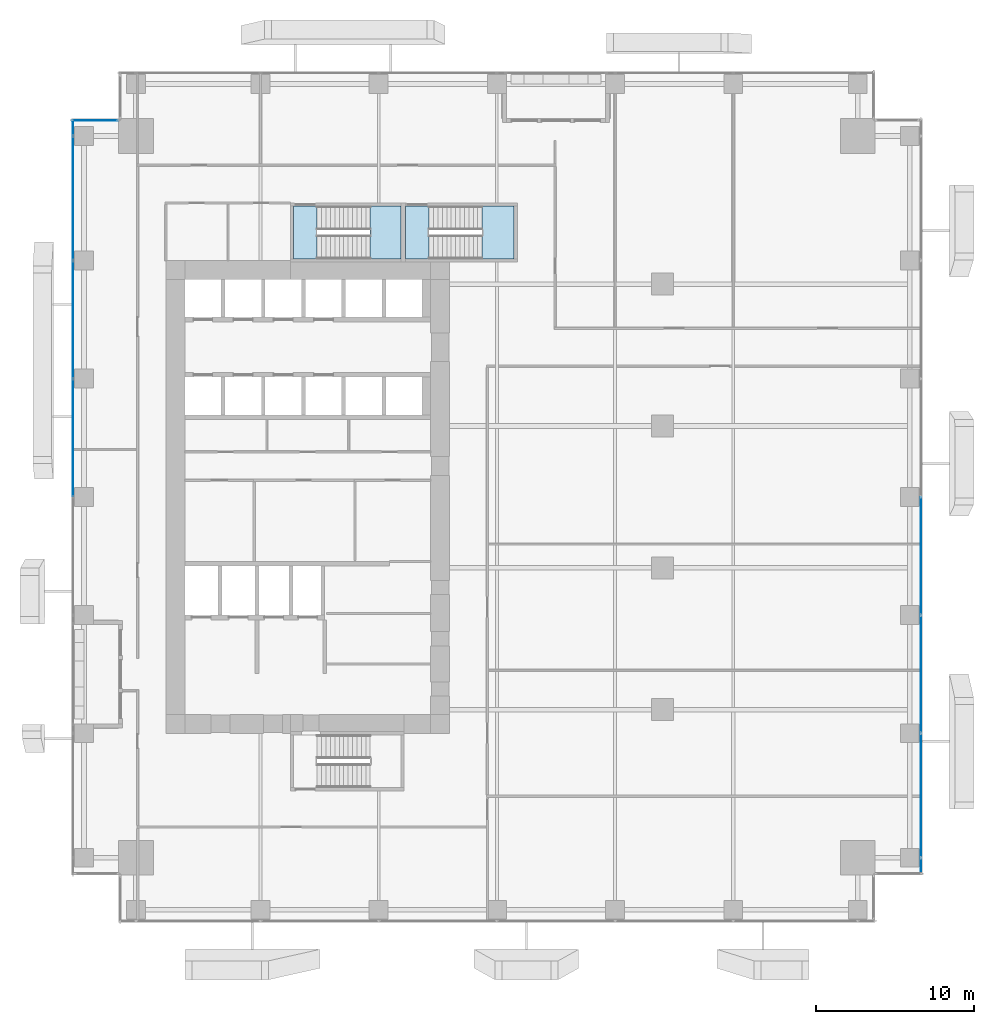
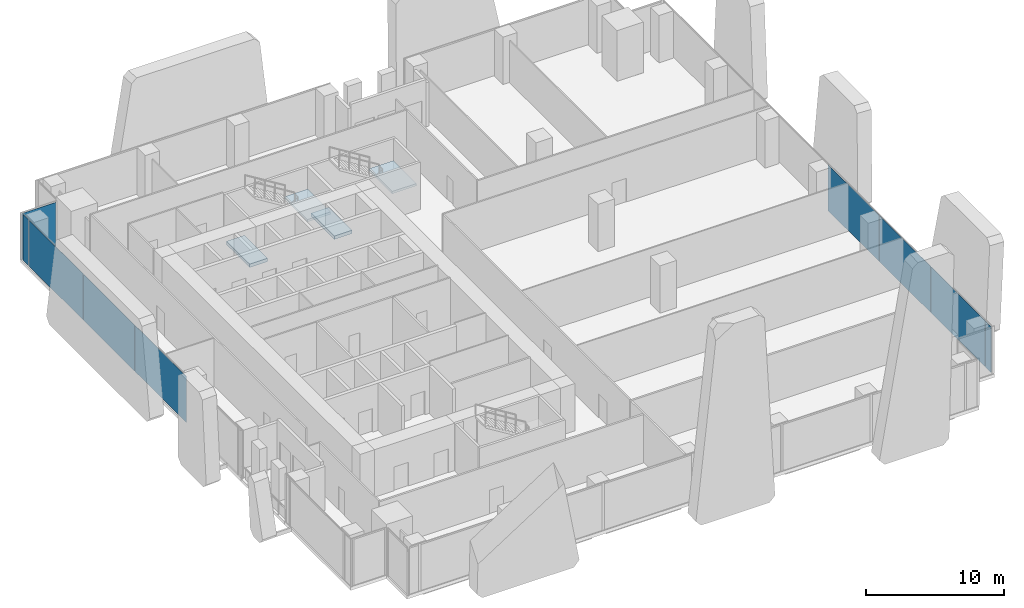
# One storey, part 24 of 34: 9 plates, 4 slabs, 5 elements without a shape of their own.
"""IFC4 building model written with IfcOpenShell, lengths in metres."""

from ifc_helpers import new_model, si_unit, direction, frame, origin, origin_2d, place, context, subcontext, project, spatial, polyline, rectangle, outline, extrude, source, transform, mapped, material, layer, layer_set, type_object, element, aggregate, save


model = new_model("IFC4")

# Units and contexts
model_context = context("Model", 3, precision=1e-05, world=origin(), true_north=direction((0.0, 1.0)))
body_context = subcontext(model_context, "Body", "Model", "MODEL_VIEW")
ifc_project = project(units=[si_unit("LENGTHUNIT", "METRE"), si_unit("AREAUNIT", "SQUARE_METRE"), si_unit("VOLUMEUNIT", "CUBIC_METRE"), si_unit("PLANEANGLEUNIT", "RADIAN"), si_unit("MASSUNIT", "GRAM", prefix="KILO")], contexts=[model_context])

# Site, building, storey
site_placement = place(None, origin())
site = spatial("IfcSite", under=ifc_project, at=site_placement, CompositionType="ELEMENT")
building_placement = place(site_placement, origin())
building = spatial("IfcBuilding", under=site, at=building_placement, Name="Khomas Fold Tower", CompositionType="ELEMENT")
storey_placement = place(building_placement, frame((0.0, 0.0, 51.0)))
storey = spatial("IfcBuildingStorey", under=building, at=storey_placement, Name="L10", CompositionType="ELEMENT", Elevation=51.0)

# Curtain wall, plate
ifc_material_1 = material(Name="Aluminium framed double glazing", Category="aluminium")
curtain_wall_type = type_object("IfcCurtainWallType", Name="SK-Unitised clear-glass wall, growing floors CW1", PredefinedType="NOTDEFINED", material=ifc_material_1)
curtain_wall_1_placement = place(storey_placement, origin())
curtain_wall_1 = element("IfcCurtainWall", 1, at=curtain_wall_1_placement, inside=storey, type_object=curtain_wall_type, Name="CW1 run L10 03-0", PredefinedType="NOTDEFINED")
ifc_material_2 = material(Name="Clear double glazed unit")
ifc_layer_1 = layer(ifc_material_2, 0.031982421875)
ifc_layer_set_1 = layer_set([ifc_layer_1], Name="Clear double glazed unit")
plate_type = type_object("IfcPlateType", Name="SK-Unitised clear-glass wall, growing floors glass panel CW1-P", PredefinedType="CURTAIN_PANEL", material=ifc_layer_set_1)
shared_shape_1 = source(origin(), body_context, "Body", "SweptSolid", [
    extrude(rectangle(XDim=0.81005859375, YDim=0.031982421875, at=origin_2d()), origin(), (0.0, 0.0, 1.0), 4.080078125),
])
plate_1_placement = place(storey_placement, frame((53.89990234375, 3.6650390625, 0.0), z_axis=(0.0, 0.0, 1.0), x_axis=(0.0, 1.0, 0.0)))
plate_1 = element("IfcPlate", 2, at=plate_1_placement, type_object=plate_type, Name="CW1 glass panel 1", PredefinedType="CURTAIN_PANEL", context=body_context, shape_type="MappedRepresentation", body=[
    mapped(shared_shape_1, transform((0.0, 0.0, 0.0))),
])

curtain_wall_2_placement = place(storey_placement, origin())
curtain_wall_2 = element("IfcCurtainWall", 3, at=curtain_wall_2_placement, inside=storey, type_object=curtain_wall_type, Name="CW1 run L10 09-0", PredefinedType="NOTDEFINED")
plate_2_placement = place(storey_placement, frame((0.10009765625, 50.3349609375, 0.0), z_axis=(0.0, 0.0, 1.0), x_axis=(0.0, -1.0, 0.0)))
plate_2 = element("IfcPlate", 4, at=plate_2_placement, type_object=plate_type, Name="CW1 glass panel 1", PredefinedType="CURTAIN_PANEL", context=body_context, shape_type="MappedRepresentation", body=[
    mapped(shared_shape_1, transform((0.0, 0.0, 0.0))),
])

# Plate
shared_shape_2 = source(origin(), body_context, "Body", "SweptSolid", [
    extrude(rectangle(XDim=7.840087890625, YDim=0.031982421875, at=origin_2d()), origin(), (0.0, 0.0, 1.0), 4.080078125),
])
plate_3_placement = place(storey_placement, frame((53.89990234375, 8.050048828125, 0.0), z_axis=(0.0, 0.0, 1.0), x_axis=(0.0, 1.0, 0.0)))
plate_3 = element("IfcPlate", 5, at=plate_3_placement, type_object=plate_type, Name="CW1 glass panel 2", PredefinedType="CURTAIN_PANEL", context=body_context, shape_type="MappedRepresentation", body=[
    mapped(shared_shape_2, transform((0.0, 0.0, 0.0))),
])

plate_4_placement = place(storey_placement, frame((0.10009765625, 45.949951171875, 0.0), z_axis=(0.0, 0.0, 1.0), x_axis=(0.0, -1.0, 0.0)))
plate_4 = element("IfcPlate", 6, at=plate_4_placement, type_object=plate_type, Name="CW1 glass panel 2", PredefinedType="CURTAIN_PANEL", context=body_context, shape_type="MappedRepresentation", body=[
    mapped(shared_shape_2, transform((0.0, 0.0, 0.0))),
])

shared_shape_3 = source(origin(), body_context, "Body", "SweptSolid", [
    extrude(rectangle(XDim=7.43994140625, YDim=0.031982421875, at=origin_2d()), origin(), (0.0, 0.0, 1.0), 4.080078125),
])
plate_5_placement = place(storey_placement, frame((53.89990234375, 15.75, 0.0), z_axis=(0.0, 0.0, 1.0), x_axis=(0.0, 1.0, 0.0)))
plate_5 = element("IfcPlate", 7, at=plate_5_placement, type_object=plate_type, Name="CW1 glass panel 3", PredefinedType="CURTAIN_PANEL", context=body_context, shape_type="MappedRepresentation", body=[
    mapped(shared_shape_3, transform((0.0, 0.0, 0.0))),
])

plate_6_placement = place(storey_placement, frame((53.89990234375, 23.25, 0.0), z_axis=(0.0, 0.0, 1.0), x_axis=(0.0, 1.0, 0.0)))
plate_6 = element("IfcPlate", 8, at=plate_6_placement, type_object=plate_type, Name="CW1 glass panel 4", PredefinedType="CURTAIN_PANEL", context=body_context, shape_type="MappedRepresentation", body=[
    mapped(shared_shape_3, transform((0.0, 0.0, 0.0))),
])

aggregate(curtain_wall_1, [plate_1, plate_3, plate_5, plate_6])

plate_7_placement = place(storey_placement, frame((0.10009765625, 38.25, 0.0), z_axis=(0.0, 0.0, 1.0), x_axis=(0.0, -1.0, 0.0)))
plate_7 = element("IfcPlate", 9, at=plate_7_placement, type_object=plate_type, Name="CW1 glass panel 3", PredefinedType="CURTAIN_PANEL", context=body_context, shape_type="MappedRepresentation", body=[
    mapped(shared_shape_3, transform((0.0, 0.0, 0.0))),
])

plate_8_placement = place(storey_placement, frame((0.10009765625, 30.75, 0.0), z_axis=(0.0, 0.0, 1.0), x_axis=(0.0, -1.0, 0.0)))
plate_8 = element("IfcPlate", 10, at=plate_8_placement, type_object=plate_type, Name="CW1 glass panel 4", PredefinedType="CURTAIN_PANEL", context=body_context, shape_type="MappedRepresentation", body=[
    mapped(shared_shape_3, transform((0.0, 0.0, 0.0))),
])

aggregate(curtain_wall_2, [plate_2, plate_4, plate_7, plate_8])

# Curtain wall, plate
curtain_wall_3_placement = place(storey_placement, origin())
curtain_wall_3 = element("IfcCurtainWall", 11, at=curtain_wall_3_placement, inside=storey, type_object=curtain_wall_type, Name="CW1 corner return L10 08", PredefinedType="NOTDEFINED")
shared_shape_4 = source(origin(), body_context, "Body", "SweptSolid", [
    extrude(rectangle(XDim=2.8798828125, YDim=0.031982421875, at=origin_2d()), origin(), (0.0, 0.0, 1.0), 4.080078125),
])
plate_9_placement = place(storey_placement, frame((1.5, 50.89990234375, 0.0), z_axis=(0.0, 0.0, 1.0), x_axis=(-1.0, 0.0, 0.0)))
plate_9 = element("IfcPlate", 12, at=plate_9_placement, type_object=plate_type, Name="CW1 glass panel 1", PredefinedType="CURTAIN_PANEL", context=body_context, shape_type="MappedRepresentation", body=[
    mapped(shared_shape_4, transform((0.0, 0.0, 0.0))),
])
aggregate(curtain_wall_3, [plate_9])

# Stair, slab
ifc_material_3 = material(Name="Concrete C40/50", Category="concrete")
stair_type_1 = type_object("IfcStairType", Name="Stair ST1", PredefinedType="HALF_TURN_STAIR", material=ifc_material_3)
stair_1_placement = place(storey_placement, origin())
stair_1 = element("IfcStair", 13, at=stair_1_placement, inside=storey, type_object=stair_type_1, Name="L10 ST1", PredefinedType="HALF_TURN_STAIR")
ifc_material_4 = material(Name="Concrete C40/50", Category="concrete")
ifc_layer_2 = layer(ifc_material_4, 0.199951171875)
ifc_layer_set_2 = layer_set([ifc_layer_2], Name="Concrete C40/50")
slab_type_1 = type_object("IfcSlabType", Name="Stair landing 200", PredefinedType="LANDING", material=ifc_layer_set_2)
shared_shape_5 = source(origin(), body_context, "Body", "SweptSolid", [
    extrude(outline(polyline([(18.9599609375, 42.10009765625), (20.89990234375, 42.10009765625), (20.89990234375, 45.449951171875), (18.9599609375, 45.449951171875), (18.9599609375, 42.10009765625)])), origin(), (0.0, 0.0, 1.0), 0.199951171875),
])
slab_1_placement = place(storey_placement, frame((0.0, 0.0, 2.050048828125)))
slab_1 = element("IfcSlab", 14, at=slab_1_placement, type_object=slab_type_1, Name="ST1 landing 1", PredefinedType="LANDING", context=body_context, shape_type="MappedRepresentation", body=[
    mapped(shared_shape_5, transform((0.0, 0.0, 0.0))),
])
aggregate(stair_1, [slab_1])

# Slab
ifc_material_5 = material(Name="Concrete C40/50", Category="concrete")
ifc_layer_3 = layer(ifc_material_5, 0.300048828125)
ifc_layer_set_3 = layer_set([ifc_layer_3], Name="Concrete C40/50")
slab_type_2 = type_object("IfcSlabType", Name="Stair floor landing 300", PredefinedType="LANDING", material=ifc_layer_set_3)
shared_shape_6 = source(origin(), body_context, "Body", "SweptSolid", [
    extrude(outline(polyline([(15.60009765625, 42.10009765625), (14.10009765625, 42.10009765625), (14.10009765625, 45.449951171875), (15.60009765625, 45.449951171875), (15.60009765625, 42.10009765625)])), origin(), (0.0, 0.0, 1.0), 0.300048828125),
])
slab_2_placement = place(storey_placement, frame((0.0, 0.0, -0.300048828125)))
element("IfcSlab", 15, at=slab_2_placement, inside=storey, type_object=slab_type_2, Name="ST1 floor landing", PredefinedType="LANDING", context=body_context, shape_type="MappedRepresentation", body=[
    mapped(shared_shape_6, transform((0.0, 0.0, 0.0))),
])

# Stair, slab
ifc_material_6 = material(Name="Concrete C40/50", Category="concrete")
stair_type_2 = type_object("IfcStairType", Name="Stair ST3", PredefinedType="HALF_TURN_STAIR", material=ifc_material_6)
stair_2_placement = place(storey_placement, origin())
stair_2 = element("IfcStair", 16, at=stair_2_placement, inside=storey, type_object=stair_type_2, Name="L10 ST3", PredefinedType="HALF_TURN_STAIR")
shared_shape_7 = source(origin(), body_context, "Body", "SweptSolid", [
    extrude(outline(polyline([(26.06005859375, 42.10009765625), (28.10009765625, 42.10009765625), (28.10009765625, 45.449951171875), (26.06005859375, 45.449951171875), (26.06005859375, 42.10009765625)])), origin(), (0.0, 0.0, 1.0), 0.199951171875),
])
slab_3_placement = place(storey_placement, frame((0.0, 0.0, 2.050048828125)))
slab_3 = element("IfcSlab", 17, at=slab_3_placement, type_object=slab_type_1, Name="ST3 landing 1", PredefinedType="LANDING", context=body_context, shape_type="MappedRepresentation", body=[
    mapped(shared_shape_7, transform((0.0, 0.0, 0.0))),
])
aggregate(stair_2, [slab_3])

# Slab
shared_shape_8 = source(origin(), body_context, "Body", "SweptSolid", [
    extrude(outline(polyline([(22.699951171875, 42.10009765625), (21.199951171875, 42.10009765625), (21.199951171875, 45.449951171875), (22.699951171875, 45.449951171875), (22.699951171875, 42.10009765625)])), origin(), (0.0, 0.0, 1.0), 0.300048828125),
])
slab_4_placement = place(storey_placement, frame((0.0, 0.0, -0.300048828125)))
element("IfcSlab", 18, at=slab_4_placement, inside=storey, type_object=slab_type_2, Name="ST3 floor landing", PredefinedType="LANDING", context=body_context, shape_type="MappedRepresentation", body=[
    mapped(shared_shape_8, transform((0.0, 0.0, 0.0))),
])

save(model, "model.ifc")
